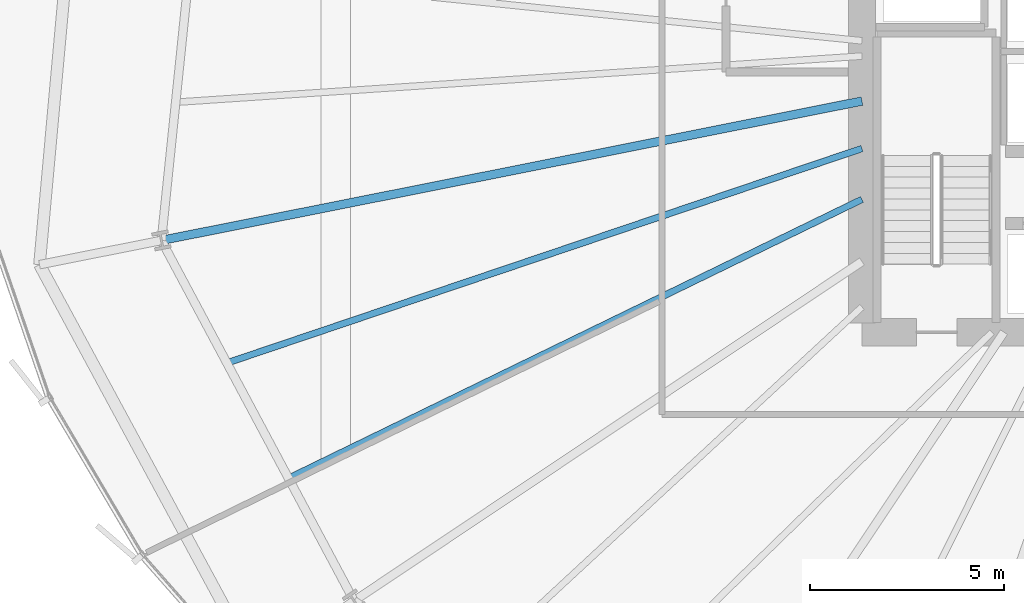
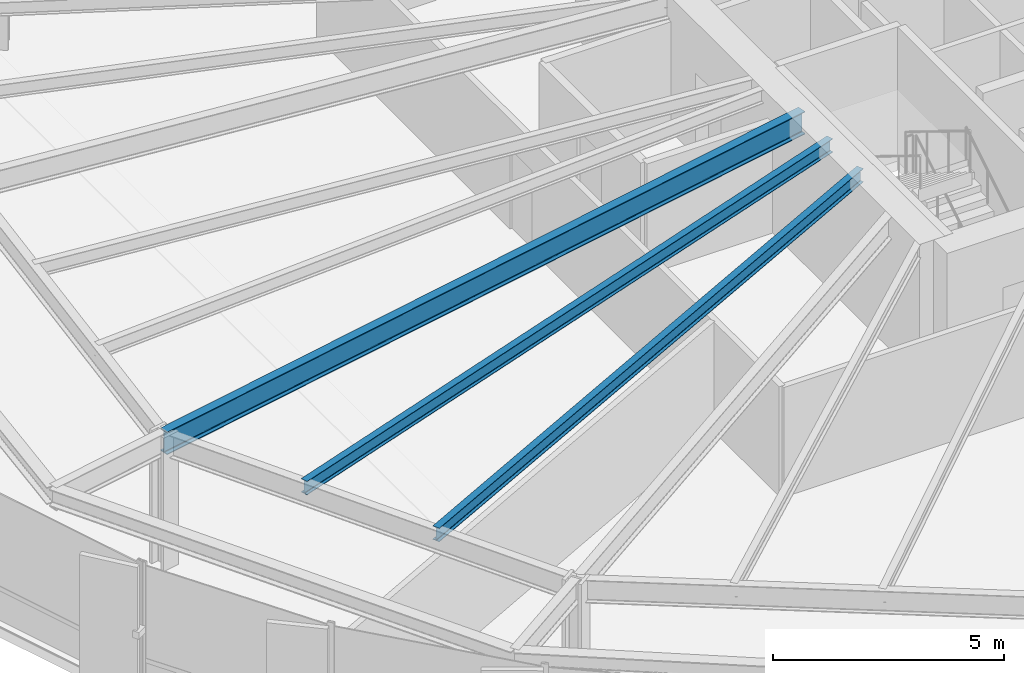
# One storey, part 7 of 39: 3 beams.
"""IFC4 building model written with IfcOpenShell, lengths in metres."""

from ifc_helpers import new_model, si_unit, direction, frame, origin, origin_2d, place, context, subcontext, project, spatial, i_section, extrude, source, transform, mapped, material, material_profile, profile_set, type_object, element, save


model = new_model("IFC4")

# Units and contexts
model_context = context("Model", 3, precision=1e-05, world=origin(), true_north=direction((0.0, 1.0)))
body_context = subcontext(model_context, "Body", "Model", "MODEL_VIEW")
ifc_project = project(units=[si_unit("LENGTHUNIT", "METRE"), si_unit("AREAUNIT", "SQUARE_METRE"), si_unit("VOLUMEUNIT", "CUBIC_METRE"), si_unit("PLANEANGLEUNIT", "RADIAN"), si_unit("MASSUNIT", "GRAM", prefix="KILO"), si_unit("THERMODYNAMICTEMPERATUREUNIT", "KELVIN")], contexts=[model_context])

# Site, building, storey
site_placement = place(None, origin())
site = spatial("IfcSite", under=ifc_project, at=site_placement, CompositionType="ELEMENT")
building_placement = place(site_placement, origin())
building = spatial("IfcBuilding", under=site, at=building_placement, Name="Kethvar Cultural Tower", CompositionType="ELEMENT")
storey_placement = place(building_placement, frame((0.0, 0.0, 33.39990234375)))
storey = spatial("IfcBuildingStorey", under=building, at=storey_placement, Name="L07", CompositionType="ELEMENT", Elevation=33.39990234375)

# Beams
ifc_material = material(Name="Steel S355J2", Category="steel")
ifc_material_profile_1 = material_profile(ifc_material, i_section(OverallWidth=0.219970703125, OverallDepth=0.60009765625, WebThickness=0.011962890625, FlangeThickness=0.01904296875, FilletRadius=0.02392578125, at=origin_2d()), Name="Steel S355J2 — IPE600")
ifc_profile_set_1 = profile_set([ifc_material_profile_1], Name="Steel S355J2 — IPE600")
beam_type_1 = type_object("IfcBeamType", Name="BM-IPE600", PredefinedType="BEAM", material=ifc_profile_set_1)
shared_shape_1 = source(origin(), body_context, "Body", "SweptSolid", [
    extrude(i_section(OverallWidth=0.219970703125, OverallDepth=0.60009765625, WebThickness=0.011962890625, FlangeThickness=0.01904296875, FilletRadius=0.02392578125, at=origin_2d()), origin(), (0.0, 0.0, 1.0), 18.387451171875),
])
beam_1_placement = place(storey_placement, frame((38.0, 26.049560546875, 3.248046875), z_axis=(-0.980785937774, -0.195087017162, 0.0), x_axis=(0.195087017162, -0.980785937774, 0.0)))
element("IfcBeam", 1, at=beam_1_placement, inside=storey, type_object=beam_type_1, Name="L07 Primary Radial Beam RB-09", PredefinedType="BEAM", context=body_context, shape_type="MappedRepresentation", body=[
    mapped(shared_shape_1, transform((0.0, 0.0, 0.0), scale=1.0)),
])
ifc_material_profile_2 = material_profile(ifc_material, i_section(OverallWidth=0.169921875, OverallDepth=0.360107421875, WebThickness=0.008056640625, FlangeThickness=0.0126953125, FilletRadius=0.01806640625, at=origin_2d()), Name="Steel S355J2 — IPE360")
ifc_profile_set_2 = profile_set([ifc_material_profile_2], Name="Steel S355J2 — IPE360")
beam_type_2 = type_object("IfcBeamType", Name="BM-J360", PredefinedType="JOIST", material=ifc_profile_set_2)
shared_shape_2 = source(origin(), body_context, "Body", "SweptSolid", [
    extrude(i_section(OverallWidth=0.169921875, OverallDepth=0.360107421875, WebThickness=0.008056640625, FlangeThickness=0.0126953125, FilletRadius=0.01806640625, at=origin_2d()), origin(), (0.0, 0.0, 1.0), 17.255126953125),
])
beam_2_placement = place(storey_placement, frame((38.0, 24.828369140625, 3.3681640625), z_axis=(-0.947435140552, -0.319947893332, 0.0), x_axis=(0.319947893332, -0.947435140552, 0.0)))
element("IfcBeam", 2, at=beam_2_placement, inside=storey, type_object=beam_type_2, Name="L07 Composite Floor Joist J-09A", PredefinedType="JOIST", context=body_context, shape_type="MappedRepresentation", body=[
    mapped(shared_shape_2, transform((0.0, 0.0, 0.0), scale=1.0)),
])
shared_shape_3 = source(origin(), body_context, "Body", "SweptSolid", [
    extrude(i_section(OverallWidth=0.169921875, OverallDepth=0.360107421875, WebThickness=0.008056640625, FlangeThickness=0.0126953125, FilletRadius=0.01806640625, at=origin_2d()), origin(), (0.0, 0.0, 1.0), 16.4150390625),
])
beam_3_placement = place(storey_placement, frame((38.0, 23.51904296875, 3.3681640625), z_axis=(-0.899246473736, -0.437442315595, 0.0), x_axis=(0.437442315595, -0.899246473736, 0.0)))
element("IfcBeam", 3, at=beam_3_placement, inside=storey, type_object=beam_type_2, Name="L07 Composite Floor Joist J-09B", PredefinedType="JOIST", context=body_context, shape_type="MappedRepresentation", body=[
    mapped(shared_shape_3, transform((0.0, 0.0, 0.0), scale=1.0)),
])

save(model, "model.ifc")
